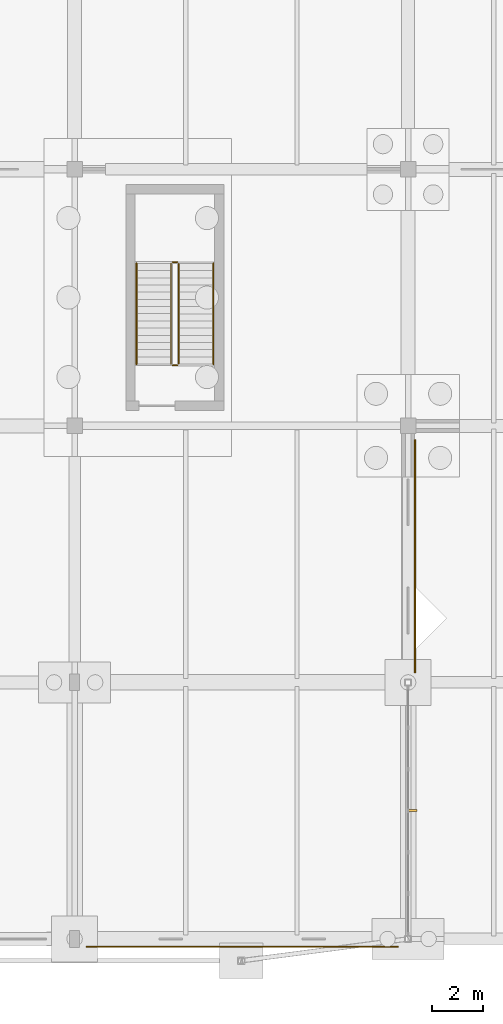
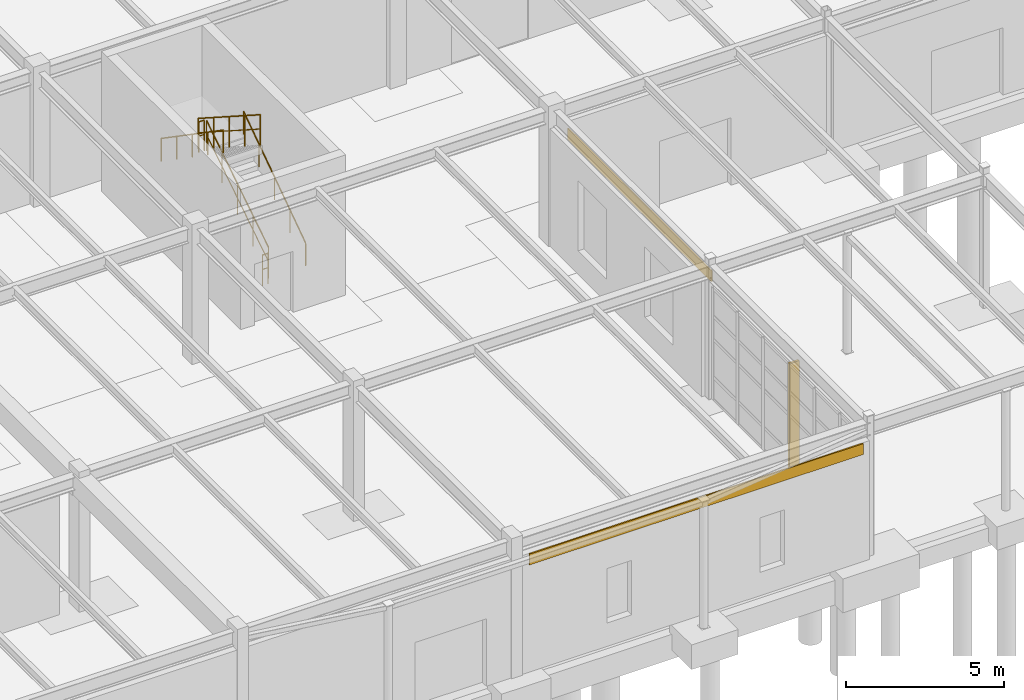
# One storey, part 131 of 145: 6 railings, 2 coverings, 1 shading device.
"""IFC4 building model written with IfcOpenShell, lengths in metres."""

from ifc_helpers import new_model, si_unit, direction, frame, origin, origin_2d, place, context, subcontext, project, spatial, polyline, rectangle, circle, outline, extrude, material, layer, layer_set, type_object, element, save


model = new_model("IFC4")

# Units and contexts
model_context = context("Model", 3, precision=1e-05, world=origin(), true_north=direction((0.0, 1.0)))
body_context = subcontext(model_context, "Body", "Model", "MODEL_VIEW")
ifc_project = project(units=[si_unit("LENGTHUNIT", "METRE"), si_unit("AREAUNIT", "SQUARE_METRE"), si_unit("VOLUMEUNIT", "CUBIC_METRE"), si_unit("PLANEANGLEUNIT", "RADIAN"), si_unit("MASSUNIT", "GRAM", prefix="KILO"), si_unit("THERMODYNAMICTEMPERATUREUNIT", "KELVIN"), si_unit("POWERUNIT", "WATT")], contexts=[model_context])

# Site, building, storey
site_placement = place(None, origin())
site = spatial("IfcSite", under=ifc_project, at=site_placement, CompositionType="ELEMENT")
building_placement = place(site_placement, origin())
building = spatial("IfcBuilding", under=site, at=building_placement, Name="Korenveer Ferry Terminal", CompositionType="ELEMENT")
storey_placement = place(building_placement, origin())
storey = spatial("IfcBuildingStorey", under=building, at=storey_placement, Name="L00", CompositionType="ELEMENT", Elevation=0.0)

# Coverings
ifc_material_1 = material(Name="Carved Belgian bluestone spandrel cladding", Category="masonry")
ifc_layer = layer(ifc_material_1, 0.050048828125)
ifc_layer_set = layer_set([ifc_layer], Name="Carved Belgian bluestone spandrel cladding")
covering_type = type_object("IfcCoveringType", Name="ENV-COV-STONE", PredefinedType="CLADDING", material=ifc_layer_set)
covering_1_placement = place(storey_placement, frame((0.0, 0.0, 4.159912109375)))
element("IfcCovering", 1, at=covering_1_placement, inside=storey, type_object=covering_type, Name="Belgian bluestone spandrel band 2", PredefinedType="CLADDING", context=body_context, shape_type="SweptSolid", body=[
    extrude(outline(polyline([(40.449951171875, -0.324951171875), (52.625, -0.324951171875), (52.625, -0.27490234375), (40.449951171875, -0.27490234375), (40.449951171875, -0.324951171875)])), origin(), (0.0, 0.0, 1.0), 0.420166015625),
])
covering_2_placement = place(storey_placement, frame((0.0, 0.0, 4.110107421875)))
element("IfcCovering", 2, at=covering_2_placement, inside=storey, type_object=covering_type, Name="Belgian bluestone spandrel band 10", PredefinedType="CLADDING", context=body_context, shape_type="SweptSolid", body=[
    extrude(outline(polyline([(53.2451171875, 10.375), (53.294921875, 10.375), (53.294921875, 19.449951171875), (53.2451171875, 19.449951171875), (53.2451171875, 10.375)])), origin(), (0.0, 0.0, 1.0), 0.419921875),
])

# Shading device
ifc_material_2 = material(Name="Anodised bronze aluminium solar fin", Category="aluminium")
shading_device_type = type_object("IfcShadingDeviceType", Name="ENV-SHD-FIN", PredefinedType="JALOUSIE", material=ifc_material_2)
shading_device_placement = place(storey_placement, frame((53.159912109375, 5.0, -0.02001953125), z_axis=(0.0, 0.0, 1.0), x_axis=(1.0, 0.0, 0.0)))
element("IfcShadingDevice", 3, at=shading_device_placement, inside=storey, type_object=shading_device_type, Name="Gothic solar fin 10", PredefinedType="JALOUSIE", context=body_context, shape_type="SweptSolid", body=[
    extrude(rectangle(XDim=0.360107421875, YDim=0.080078125, at=origin_2d()), origin(), (0.0, 0.0, 1.0), 4.35009765625),
])

# Railings
ifc_material_3 = material(Name="Brushed stainless steel handrail", Category="steel")
railing_type_1 = type_object("IfcRailingType", Name="INT-RL-HND90", PredefinedType="HANDRAIL", material=ifc_material_3)
railing_1_placement = place(storey_placement, frame((45.409912109375, 22.409912109375, 0.179931640625)))
element("IfcRailing", 4, at=railing_1_placement, inside=storey, type_object=railing_type_1, Name="L00 ST09 stair handrail 1", PredefinedType="HANDRAIL", context=body_context, shape_type="SweptSolid", body=[
    extrude(circle(Radius=0.02392578125, at=origin_2d()), frame((0.0, 0.0, 0.8759765625), z_axis=(0.0, 0.823567234665, 0.567218661528), x_axis=(-1.0, 0.0, 0.0)), (0.0, 0.0, 1.0), 4.760009765625),
    extrude(circle(Radius=0.02099609375, at=origin_2d()), origin(), (0.0, 0.0, 1.0), 0.851806640625),
    extrude(circle(Radius=0.02099609375, at=origin_2d()), frame((0.0, 0.97998046875, 0.675048828125)), (0.0, 0.0, 1.0), 0.851806640625),
    extrude(circle(Radius=0.02099609375, at=origin_2d()), frame((0.0, 1.9599609375, 1.35009765625)), (0.0, 0.0, 1.0), 0.851806640625),
    extrude(circle(Radius=0.02099609375, at=origin_2d()), frame((0.0, 2.940185546875, 2.02490234375)), (0.0, 0.0, 1.0), 0.851806640625),
    extrude(circle(Radius=0.02099609375, at=origin_2d()), frame((0.0, 3.920166015625, 2.699951171875)), (0.0, 0.0, 1.0), 0.851806640625),
])
railing_2_placement = place(storey_placement, frame((42.409912109375, 26.330078125, 2.8798828125)))
element("IfcRailing", 5, at=railing_2_placement, inside=storey, type_object=railing_type_1, Name="L00 ST09 stair handrail 2", PredefinedType="HANDRAIL", context=body_context, shape_type="SweptSolid", body=[
    extrude(circle(Radius=0.02392578125, at=origin_2d()), frame((0.0, 0.0, 0.8759765625), z_axis=(0.0, -0.82354327477, 0.567253448276), x_axis=(1.0, 0.0, 0.0)), (0.0, 0.0, 1.0), 4.760009765625),
    extrude(circle(Radius=0.02099609375, at=origin_2d()), origin(), (0.0, 0.0, 1.0), 0.851806640625),
    extrude(circle(Radius=0.02099609375, at=origin_2d()), frame((0.0, -0.97998046875, 0.675048828125)), (0.0, 0.0, 1.0), 0.851806640625),
    extrude(circle(Radius=0.02099609375, at=origin_2d()), frame((0.0, -1.9599609375, 1.35009765625)), (0.0, 0.0, 1.0), 0.851806640625),
    extrude(circle(Radius=0.02099609375, at=origin_2d()), frame((0.0, -2.940185546875, 2.025146484375)), (0.0, 0.0, 1.0), 0.851806640625),
    extrude(circle(Radius=0.02099609375, at=origin_2d()), frame((0.0, -3.920166015625, 2.7001953125)), (0.0, 0.0, 1.0), 0.851806640625),
])
ifc_material_4 = material(Name="Painted steel stair guard", Category="steel")
railing_type_2 = type_object("IfcRailingType", Name="INT-RL-STGRD", PredefinedType="GUARDRAIL", material=ifc_material_4)
railing_3_placement = place(storey_placement, frame((44.06005859375, 22.409912109375, 0.179931640625)))
element("IfcRailing", 6, at=railing_3_placement, inside=storey, type_object=railing_type_2, Name="L00 ST09 stair guard 1", PredefinedType="GUARDRAIL", context=body_context, shape_type="SweptSolid", body=[
    extrude(circle(Radius=0.02392578125, at=origin_2d()), frame((0.0, 0.0, 1.17578125), z_axis=(0.0, 0.841186985886, 0.540744352514), x_axis=(-1.0, 0.0, 0.0)), (0.0, 0.0, 1.0), 4.660400390625),
    extrude(circle(Radius=0.01806640625, at=origin_2d()), frame((0.0, 0.0, 0.6240234375), z_axis=(0.0, 0.841186985886, 0.540744352514), x_axis=(-1.0, 0.0, 0.0)), (0.0, 0.0, 1.0), 4.660400390625),
    extrude(circle(Radius=0.02099609375, at=origin_2d()), origin(), (0.0, 0.0, 1.0), 1.15185546875),
    extrude(circle(Radius=0.02099609375, at=origin_2d()), frame((0.0, 0.97998046875, 0.6298828125)), (0.0, 0.0, 1.0), 1.15185546875),
    extrude(circle(Radius=0.02099609375, at=origin_2d()), frame((0.0, 1.9599609375, 1.260009765625)), (0.0, 0.0, 1.0), 1.15185546875),
    extrude(circle(Radius=0.02099609375, at=origin_2d()), frame((0.0, 2.940185546875, 1.89013671875)), (0.0, 0.0, 1.0), 1.15185546875),
    extrude(circle(Radius=0.02099609375, at=origin_2d()), frame((0.0, 3.920166015625, 2.52001953125)), (0.0, 0.0, 1.0), 1.15185546875),
])
railing_4_placement = place(storey_placement, frame((44.010009765625, 26.3798828125, 2.699951171875)))
element("IfcRailing", 7, at=railing_4_placement, inside=storey, type_object=railing_type_2, Name="L00 ST09 stair guard 2", PredefinedType="GUARDRAIL", context=body_context, shape_type="SweptSolid", body=[
    extrude(circle(Radius=0.02392578125, at=origin_2d()), frame((0.0, 0.0, 1.17578125), z_axis=(-1.0, 0.0, 0.0), x_axis=(0.0, -1.0, 0.0)), (0.0, 0.0, 1.0), 0.199951171875),
    extrude(circle(Radius=0.01806640625, at=origin_2d()), frame((0.0, 0.0, 0.6240234375), z_axis=(-1.0, 0.0, 0.0), x_axis=(0.0, -1.0, 0.0)), (0.0, 0.0, 1.0), 0.199951171875),
    extrude(circle(Radius=0.02099609375, at=origin_2d()), origin(), (0.0, 0.0, 1.0), 1.15185546875),
    extrude(circle(Radius=0.02099609375, at=origin_2d()), frame((-0.199951171875, 0.0, 0.0)), (0.0, 0.0, 1.0), 1.15185546875),
])
railing_5_placement = place(storey_placement, frame((43.760009765625, 26.330078125, 2.8798828125)))
element("IfcRailing", 8, at=railing_5_placement, inside=storey, type_object=railing_type_2, Name="L00 ST09 stair guard 3", PredefinedType="GUARDRAIL", context=body_context, shape_type="SweptSolid", body=[
    extrude(circle(Radius=0.02392578125, at=origin_2d()), frame((0.0, 0.0, 1.17578125), z_axis=(0.0, -0.841186985886, 0.540744352514), x_axis=(1.0, 0.0, 0.0)), (0.0, 0.0, 1.0), 4.660400390625),
    extrude(circle(Radius=0.01806640625, at=origin_2d()), frame((0.0, 0.0, 0.6240234375), z_axis=(0.0, -0.841186985886, 0.540744352514), x_axis=(1.0, 0.0, 0.0)), (0.0, 0.0, 1.0), 4.660400390625),
    extrude(circle(Radius=0.02099609375, at=origin_2d()), origin(), (0.0, 0.0, 1.0), 1.15185546875),
    extrude(circle(Radius=0.02099609375, at=origin_2d()), frame((0.0, -0.97998046875, 0.6298828125)), (0.0, 0.0, 1.0), 1.15185546875),
    extrude(circle(Radius=0.02099609375, at=origin_2d()), frame((0.0, -1.9599609375, 1.260009765625)), (0.0, 0.0, 1.0), 1.15185546875),
    extrude(circle(Radius=0.02099609375, at=origin_2d()), frame((0.0, -2.940185546875, 1.89013671875)), (0.0, 0.0, 1.0), 1.15185546875),
    extrude(circle(Radius=0.02099609375, at=origin_2d()), frame((0.0, -3.920166015625, 2.52001953125)), (0.0, 0.0, 1.0), 1.15185546875),
])
railing_6_placement = place(storey_placement, frame((44.010009765625, 22.360107421875, 0.0)))
element("IfcRailing", 9, at=railing_6_placement, inside=storey, type_object=railing_type_2, Name="L00 ST09 stair guard 4", PredefinedType="GUARDRAIL", context=body_context, shape_type="SweptSolid", body=[
    extrude(circle(Radius=0.02392578125, at=origin_2d()), frame((0.0, 0.0, 1.17578125), z_axis=(-1.0, 0.0, 0.0), x_axis=(0.0, -1.0, 0.0)), (0.0, 0.0, 1.0), 0.199951171875),
    extrude(circle(Radius=0.01806640625, at=origin_2d()), frame((0.0, 0.0, 0.6240234375), z_axis=(-1.0, 0.0, 0.0), x_axis=(0.0, -1.0, 0.0)), (0.0, 0.0, 1.0), 0.199951171875),
    extrude(circle(Radius=0.02099609375, at=origin_2d()), origin(), (0.0, 0.0, 1.0), 1.15185546875),
    extrude(circle(Radius=0.02099609375, at=origin_2d()), frame((-0.199951171875, 0.0, 0.0)), (0.0, 0.0, 1.0), 1.15185546875),
])

save(model, "model.ifc")
